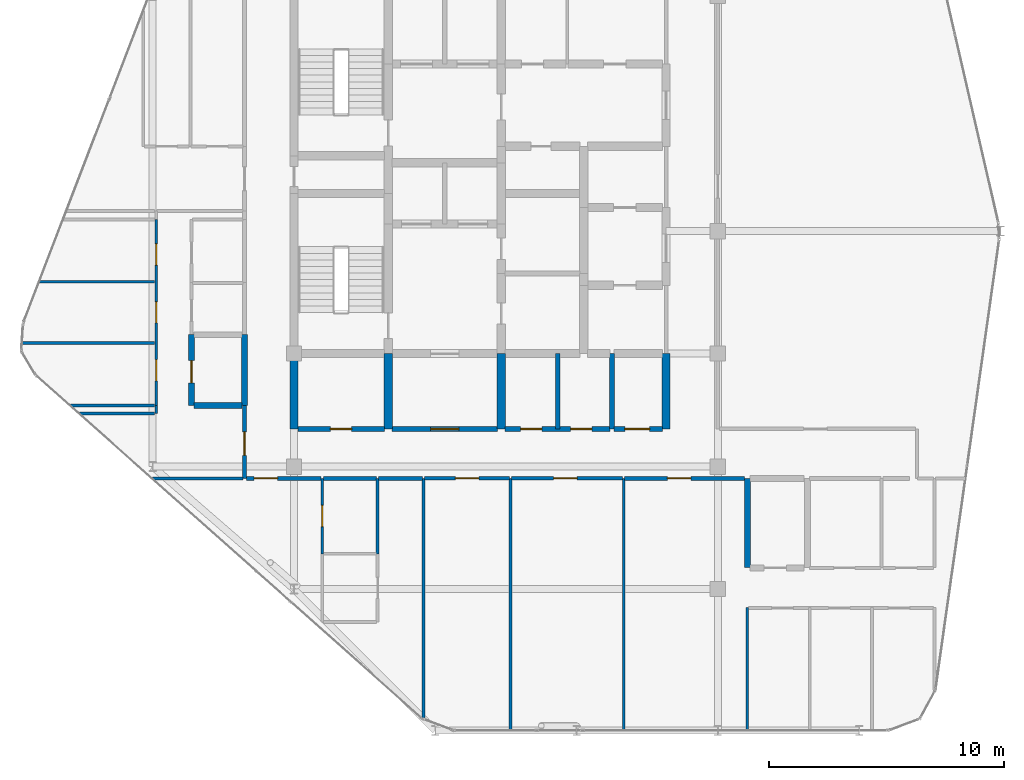
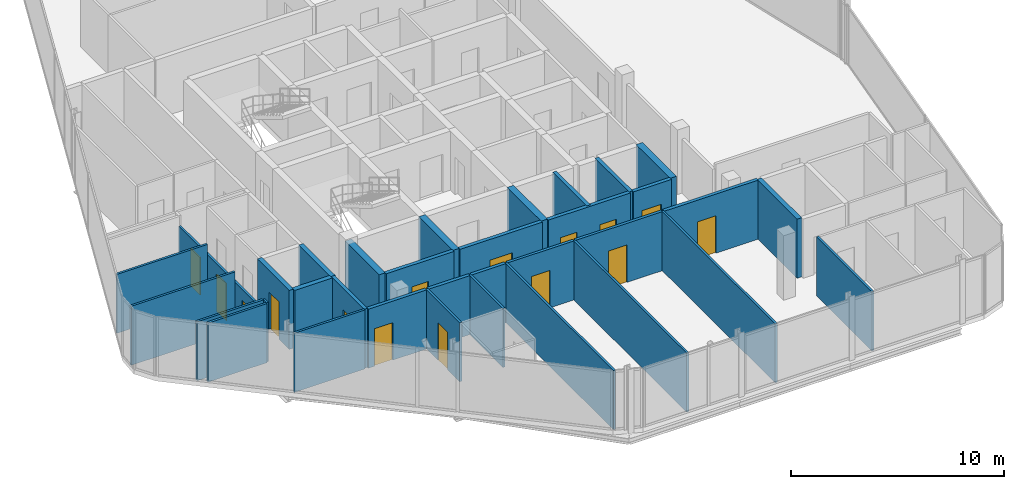
# One storey, part 22 of 27: 34 walls, 15 doors, 15 openings.
"""IFC4 building model written with IfcOpenShell, lengths in metres."""

from ifc_helpers import new_model, si_unit, direction, frame, frame_2d, origin, place, context, subcontext, project, spatial, rectangle, extrude, material, layer, layer_set, type_object, element, fill, save


model = new_model("IFC4")

# Units and contexts
model_context = context("Model", 3, precision=1e-05, world=origin(), true_north=direction((0.0, 1.0)))
body_context = subcontext(model_context, "Body", "Model", "MODEL_VIEW")
ifc_project = project(units=[si_unit("LENGTHUNIT", "METRE"), si_unit("AREAUNIT", "SQUARE_METRE"), si_unit("VOLUMEUNIT", "CUBIC_METRE"), si_unit("PLANEANGLEUNIT", "RADIAN"), si_unit("MASSUNIT", "GRAM", prefix="KILO")], contexts=[model_context])

# Site, building, storey
site_placement = place(None, origin())
site = spatial("IfcSite", under=ifc_project, at=site_placement, CompositionType="ELEMENT")
building_placement = place(site_placement, origin())
building = spatial("IfcBuilding", under=site, at=building_placement, Name="Keshet Zoharim Tower", CompositionType="ELEMENT")
storey_placement = place(building_placement, frame((0.0, 0.0, 307.300048828125)))
storey = spatial("IfcBuildingStorey", under=building, at=storey_placement, Name="L77", CompositionType="ELEMENT", Elevation=307.300048828125)

# Wall, opening, door
ifc_material_1 = material(Name="Gypsum Plasterboard", Category="gypsum")
ifc_layer_1 = layer(ifc_material_1, 0.14990234375)
ifc_layer_set_1 = layer_set([ifc_layer_1], Name="Gypsum Plasterboard")
wall_type_1 = type_object("IfcWallType", Name="WL-CLIN-150", PredefinedType="STANDARD", material=ifc_layer_set_1)
wall_1_placement = place(storey_placement, frame((20.544921875, 17.39990234375, 0.0), z_axis=(0.0, 0.0, 1.0), x_axis=(1.0, 0.0, 0.0)))
wall_1 = element("IfcWall", 1, at=wall_1_placement, inside=storey, type_object=wall_type_1, Name="L77 Interior Wall 081", PredefinedType="STANDARD", context=body_context, shape_type="SweptSolid", body=[
    extrude(rectangle(XDim=3.610107421875, YDim=0.14990234375, at=frame_2d((1.80517578125, 0.0))), origin(), (0.0, 0.0, 1.0), 3.389892578125),
])
opening_1_placement = place(wall_1_placement, frame((1.304931640625, 0.0, 0.0)))
opening_1 = element("IfcOpeningElement", 2, at=opening_1_placement, cuts=wall_1, Name="Opening D-F310", PredefinedType="OPENING", context=body_context, shape_type="SweptSolid", body=[
    extrude(rectangle(XDim=1.0, YDim=2.14990234375, at=frame_2d((0.5, 1.074951171875))), frame((0.0, 0.0849609375, 0.0), z_axis=(0.0, -1.0, 0.0), x_axis=(1.0, 0.0, 0.0)), (0.0, 0.0, 1.0), 0.169921875),
])
ifc_material_2 = material(Name="Hardwood Timber", Category="wood")
door_type_1 = type_object("IfcDoorType", Name="DR-FD30-100", OperationType="NOTDEFINED", PredefinedType="DOOR", material=ifc_material_2)
door_1_placement = place(opening_1_placement, origin())
door_1 = element("IfcDoor", 3, at=door_1_placement, inside=storey, type_object=door_type_1, Name="L77 Quiet Telework Office Door", OperationType="SINGLE_SWING_LEFT", OverallHeight=2.14990234375, OverallWidth=1.0, PredefinedType="DOOR", context=body_context, shape_type="SweptSolid", body=[
    extrude(rectangle(XDim=1.0, YDim=2.14990234375, at=frame_2d((0.5, 1.074951171875))), frame((0.0, 0.02490234375, 0.0), z_axis=(0.0, -1.0, 0.0), x_axis=(1.0, 0.0, 0.0)), (0.0, 0.0, 1.0), 0.050048828125),
])
fill(opening_1, door_1)

wall_2_placement = place(storey_placement, frame((24.2451171875, 17.39990234375, 0.0), z_axis=(0.0, 0.0, 1.0), x_axis=(1.0, 0.0, 0.0)))
wall_2 = element("IfcWall", 4, at=wall_2_placement, inside=storey, type_object=wall_type_1, Name="L77 Interior Wall 082", PredefinedType="STANDARD", context=body_context, shape_type="SweptSolid", body=[
    extrude(rectangle(XDim=4.7099609375, YDim=0.14990234375, at=frame_2d((2.35498046875, 0.0))), origin(), (0.0, 0.0, 1.0), 3.389892578125),
])
opening_2_placement = place(wall_2_placement, frame((1.781982421875, 0.0, 0.0)))
opening_2 = element("IfcOpeningElement", 5, at=opening_2_placement, cuts=wall_2, Name="Opening D-F310", PredefinedType="OPENING", context=body_context, shape_type="SweptSolid", body=[
    extrude(rectangle(XDim=1.0, YDim=2.14990234375, at=frame_2d((0.5, 1.074951171875))), frame((0.0, 0.0849609375, 0.0), z_axis=(0.0, -1.0, 0.0), x_axis=(1.0, 0.0, 0.0)), (0.0, 0.0, 1.0), 0.169921875),
])
door_2_placement = place(opening_2_placement, origin())
door_2 = element("IfcDoor", 6, at=door_2_placement, inside=storey, type_object=door_type_1, Name="L77 Residents Game Lounge Door", OperationType="SINGLE_SWING_RIGHT", OverallHeight=2.14990234375, OverallWidth=1.0, PredefinedType="DOOR", context=body_context, shape_type="SweptSolid", body=[
    extrude(rectangle(XDim=1.0, YDim=2.14990234375, at=frame_2d((0.5, 1.074951171875))), frame((0.0, 0.02490234375, 0.0), z_axis=(0.0, -1.0, 0.0), x_axis=(1.0, 0.0, 0.0)), (0.0, 0.0, 1.0), 0.050048828125),
])
fill(opening_2, door_2)

# Walls
ifc_material_3 = material(Name="Concrete C60/75", Category="concrete")
ifc_layer_2 = layer(ifc_material_3, 0.35009765625)
ifc_layer_set_2 = layer_set([ifc_layer_2], Name="Concrete C60/75")
wall_type_2 = type_object("IfcWallType", Name="WL-CORE-350", PredefinedType="SHEAR", material=ifc_layer_set_2)
for number, where, z_axis, x_axis, name in (
    (7, (15.0, 19.5, 0.0), (0.0, 0.0, 1.0), (0.0, 1.0, 0.0), "L77 Core Shear Wall 018"),
    (8, (19.0, 19.5, 0.0), (0.0, 0.0, 1.0), (0.0, 1.0, 0.0), "L77 Core Shear Wall 026"),
    (9, (23.800048828125, 19.5, 0.0), (0.0, 0.0, 1.0), (0.0, 1.0, 0.0), "L77 Core Shear Wall 037"),
    (10, (30.800048828125, 19.5, 0.0), (0.0, 0.0, 1.0), (0.0, 1.0, 0.0), "L77 Core Shear Wall 054"),
):
    element("IfcWall", number, at=place(storey_placement, frame(where, z_axis=z_axis, x_axis=x_axis)), inside=storey, type_object=wall_type_2, Name=name, PredefinedType="SHEAR", context=body_context, shape_type="SweptSolid", body=[
        extrude(rectangle(XDim=3.199951171875, YDim=0.35009765625, at=frame_2d((1.60009765625, 0.0))), origin(), (0.0, 0.0, 1.0), 3.389892578125),
    ])

# Wall, opening, door
ifc_layer_3 = layer(ifc_material_1, 0.179931640625)
ifc_layer_set_3 = layer_set([ifc_layer_3], Name="Gypsum Plasterboard")
wall_type_3 = type_object("IfcWallType", Name="WL-CORR-180", PredefinedType="STANDARD", material=ifc_layer_set_3)
wall_3_placement = place(storey_placement, frame((12.89990234375, 17.39990234375, 0.0), z_axis=(0.0, 0.0, 1.0), x_axis=(0.0, 1.0, 0.0)))
wall_3 = element("IfcWall", 11, at=wall_3_placement, inside=storey, type_object=wall_type_3, Name="L77 Interior Wall 009", PredefinedType="STANDARD", context=body_context, shape_type="SweptSolid", body=[
    extrude(rectangle(XDim=3.10009765625, YDim=0.179931640625, at=frame_2d((1.550048828125, 0.0))), origin(), (0.0, 0.0, 1.0), 3.389892578125),
])
opening_3_placement = place(wall_3_placement, frame((0.97802734375, 0.0, 0.0)))
opening_3 = element("IfcOpeningElement", 12, at=opening_3_placement, cuts=wall_3, Name="Opening D-F310", PredefinedType="OPENING", context=body_context, shape_type="SweptSolid", body=[
    extrude(rectangle(XDim=1.0, YDim=2.14990234375, at=frame_2d((0.5, 1.074951171875))), frame((0.0, 0.10009765625, 0.0), z_axis=(0.0, -1.0, 0.0), x_axis=(1.0, 0.0, 0.0)), (0.0, 0.0, 1.0), 0.199951171875),
])
door_3_placement = place(opening_3_placement, origin())
door_3 = element("IfcDoor", 13, at=door_3_placement, inside=storey, type_object=door_type_1, Name="Apartment 7704 Entrance Door", OperationType="SINGLE_SWING_RIGHT", OverallHeight=2.14990234375, OverallWidth=1.0, PredefinedType="DOOR", context=body_context, shape_type="SweptSolid", body=[
    extrude(rectangle(XDim=1.0, YDim=2.14990234375, at=frame_2d((0.5, 1.074951171875))), frame((0.0, 0.02490234375, 0.0), z_axis=(0.0, -1.0, 0.0), x_axis=(1.0, 0.0, 0.0)), (0.0, 0.0, 1.0), 0.050048828125),
])
fill(opening_3, door_3)

wall_4_placement = place(storey_placement, frame((12.97509765625, 17.39990234375, 0.0), z_axis=(0.0, 0.0, 1.0), x_axis=(1.0, 0.0, 0.0)))
wall_4 = element("IfcWall", 14, at=wall_4_placement, inside=storey, type_object=wall_type_3, Name="L77 Interior Wall 078", PredefinedType="STANDARD", context=body_context, shape_type="SweptSolid", body=[
    extrude(rectangle(XDim=3.179931640625, YDim=0.179931640625, at=frame_2d((1.58984375, 0.0))), origin(), (0.0, 0.0, 1.0), 3.389892578125),
])
opening_4_placement = place(wall_4_placement, frame((0.33203125, 0.0, 0.0)))
opening_4 = element("IfcOpeningElement", 15, at=opening_4_placement, cuts=wall_4, Name="Opening D-F310", PredefinedType="OPENING", context=body_context, shape_type="SweptSolid", body=[
    extrude(rectangle(XDim=1.0, YDim=2.14990234375, at=frame_2d((0.5, 1.074951171875))), frame((0.0, 0.10009765625, 0.0), z_axis=(0.0, -1.0, 0.0), x_axis=(1.0, 0.0, 0.0)), (0.0, 0.0, 1.0), 0.199951171875),
])
door_4_placement = place(opening_4_placement, origin())
door_4 = element("IfcDoor", 16, at=door_4_placement, inside=storey, type_object=door_type_1, Name="Apartment 7701 Entrance Door", OperationType="SINGLE_SWING_RIGHT", OverallHeight=2.14990234375, OverallWidth=1.0, PredefinedType="DOOR", context=body_context, shape_type="SweptSolid", body=[
    extrude(rectangle(XDim=1.0, YDim=2.14990234375, at=frame_2d((0.5, 1.074951171875))), frame((0.0, 0.02490234375, 0.0), z_axis=(0.0, -1.0, 0.0), x_axis=(1.0, 0.0, 0.0)), (0.0, 0.0, 1.0), 0.050048828125),
])
fill(opening_4, door_4)

# Walls
wall_5_placement = place(storey_placement, frame((16.2451171875, 17.39990234375, 0.0), z_axis=(0.0, 0.0, 1.0), x_axis=(1.0, 0.0, 0.0)))
element("IfcWall", 17, at=wall_5_placement, inside=storey, type_object=wall_type_3, Name="L77 Interior Wall 079", PredefinedType="STANDARD", context=body_context, shape_type="SweptSolid", body=[
    extrude(rectangle(XDim=2.259765625, YDim=0.179931640625, at=frame_2d((1.1298828125, 0.0))), origin(), (0.0, 0.0, 1.0), 3.389892578125),
])
wall_6_placement = place(storey_placement, frame((18.594970703125, 17.39990234375, 0.0), z_axis=(0.0, 0.0, 1.0), x_axis=(1.0, 0.0, 0.0)))
element("IfcWall", 18, at=wall_6_placement, inside=storey, type_object=wall_type_3, Name="L77 Interior Wall 080", PredefinedType="STANDARD", context=body_context, shape_type="SweptSolid", body=[
    extrude(rectangle(XDim=1.860107421875, YDim=0.179931640625, at=frame_2d((0.93017578125, 0.0))), origin(), (0.0, 0.0, 1.0), 3.389892578125),
])

# Wall, opening, door
wall_7_placement = place(storey_placement, frame((29.044921875, 17.39990234375, 0.0), z_axis=(0.0, 0.0, 1.0), x_axis=(1.0, 0.0, 0.0)))
wall_7 = element("IfcWall", 19, at=wall_7_placement, inside=storey, type_object=wall_type_3, Name="L77 Interior Wall 083", PredefinedType="STANDARD", context=body_context, shape_type="SweptSolid", body=[
    extrude(rectangle(XDim=5.094970703125, YDim=0.179931640625, at=frame_2d((2.54736328125, 0.0))), origin(), (0.0, 0.0, 1.0), 3.389892578125),
])
opening_5_placement = place(wall_7_placement, frame((1.806884765625, 0.0, 0.0)))
opening_5 = element("IfcOpeningElement", 20, at=opening_5_placement, cuts=wall_7, Name="Opening D-F310", PredefinedType="OPENING", context=body_context, shape_type="SweptSolid", body=[
    extrude(rectangle(XDim=1.0, YDim=2.14990234375, at=frame_2d((0.5, 1.074951171875))), frame((0.0, 0.10009765625, 0.0), z_axis=(0.0, -1.0, 0.0), x_axis=(1.0, 0.0, 0.0)), (0.0, 0.0, 1.0), 0.199951171875),
])
door_5_placement = place(opening_5_placement, origin())
door_5 = element("IfcDoor", 21, at=door_5_placement, inside=storey, type_object=door_type_1, Name="Apartment 7702 Entrance Door", OperationType="SINGLE_SWING_LEFT", OverallHeight=2.14990234375, OverallWidth=1.0, PredefinedType="DOOR", context=body_context, shape_type="SweptSolid", body=[
    extrude(rectangle(XDim=1.0, YDim=2.14990234375, at=frame_2d((0.5, 1.074951171875))), frame((0.0, 0.02490234375, 0.0), z_axis=(0.0, -1.0, 0.0), x_axis=(1.0, 0.0, 0.0)), (0.0, 0.0, 1.0), 0.050048828125),
])
fill(opening_5, door_5)

# Walls
ifc_material_4 = material(Name="Concrete C50/60", Category="concrete")
ifc_layer_4 = layer(ifc_material_4, 0.199951171875)
ifc_layer_set_4 = layer_set([ifc_layer_4], Name="Concrete C50/60")
wall_type_4 = type_object("IfcWallType", Name="WL-FIRE-200", PredefinedType="STANDARD", material=ifc_layer_set_4)
for number, where, z_axis, x_axis, name in (
    (22, (26.199951171875, 19.5, 0.0), (0.0, 0.0, 1.0), (0.0, 1.0, 0.0), "L77 Interior Wall 045"),
    (23, (28.5, 19.5, 0.0), (0.0, 0.0, 1.0), (0.0, 1.0, 0.0), "L77 Interior Wall 051"),
):
    element("IfcWall", number, at=place(storey_placement, frame(where, z_axis=z_axis, x_axis=x_axis)), inside=storey, type_object=wall_type_4, Name=name, PredefinedType="STANDARD", context=body_context, shape_type="SweptSolid", body=[
        extrude(rectangle(XDim=3.199951171875, YDim=0.199951171875, at=frame_2d((1.60009765625, 0.0))), origin(), (0.0, 0.0, 1.0), 3.389892578125),
    ])

# Wall, opening, door
wall_8_placement = place(storey_placement, frame((15.159912109375, 19.5, 0.0), z_axis=(0.0, 0.0, 1.0), x_axis=(1.0, 0.0, 0.0)))
wall_8 = element("IfcWall", 24, at=wall_8_placement, inside=storey, type_object=wall_type_4, Name="L77 Interior Wall 089", PredefinedType="STANDARD", context=body_context, shape_type="SweptSolid", body=[
    extrude(rectangle(XDim=3.68017578125, YDim=0.199951171875, at=frame_2d((1.840087890625, 0.0))), origin(), (0.0, 0.0, 1.0), 3.389892578125),
])
opening_6_placement = place(wall_8_placement, frame((1.389892578125, 0.0, 0.0)))
opening_6 = element("IfcOpeningElement", 25, at=opening_6_placement, cuts=wall_8, Name="Opening D-F690", PredefinedType="OPENING", context=body_context, shape_type="SweptSolid", body=[
    extrude(rectangle(XDim=0.89990234375, YDim=2.14990234375, at=frame_2d((0.449951171875, 1.074951171875))), frame((0.0, 0.10986328125, 0.0), z_axis=(0.0, -1.0, 0.0), x_axis=(1.0, 0.0, 0.0)), (0.0, 0.0, 1.0), 0.219970703125),
])
door_type_2 = type_object("IfcDoorType", Name="DR-FD60-090", OperationType="NOTDEFINED", PredefinedType="DOOR", material=ifc_material_2)
door_6_placement = place(opening_6_placement, origin())
door_6 = element("IfcDoor", 26, at=door_6_placement, inside=storey, type_object=door_type_2, Name="L77 Pram Store Door", OperationType="SINGLE_SWING_RIGHT", OverallHeight=2.14990234375, OverallWidth=0.89990234375, PredefinedType="DOOR", context=body_context, shape_type="SweptSolid", body=[
    extrude(rectangle(XDim=0.89990234375, YDim=2.14990234375, at=frame_2d((0.449951171875, 1.074951171875))), frame((0.0, 0.02490234375, 0.0), z_axis=(0.0, -1.0, 0.0), x_axis=(1.0, 0.0, 0.0)), (0.0, 0.0, 1.0), 0.050048828125),
])
fill(opening_6, door_6)

wall_9_placement = place(storey_placement, frame((19.159912109375, 19.5, 0.0), z_axis=(0.0, 0.0, 1.0), x_axis=(1.0, 0.0, 0.0)))
wall_9 = element("IfcWall", 27, at=wall_9_placement, inside=storey, type_object=wall_type_4, Name="L77 Interior Wall 090", PredefinedType="STANDARD", context=body_context, shape_type="SweptSolid", body=[
    extrude(rectangle(XDim=4.47998046875, YDim=0.199951171875, at=frame_2d((2.239990234375, 0.0))), origin(), (0.0, 0.0, 1.0), 3.389892578125),
])
opening_7_placement = place(wall_9_placement, frame((1.639892578125, 0.0, 0.0)))
opening_7 = element("IfcOpeningElement", 28, at=opening_7_placement, cuts=wall_9, Name="Opening D-F612", PredefinedType="OPENING", context=body_context, shape_type="SweptSolid", body=[
    extrude(rectangle(XDim=1.199951171875, YDim=2.199951171875, at=frame_2d((0.60009765625, 1.10009765625))), frame((0.0, 0.10986328125, 0.0), z_axis=(0.0, -1.0, 0.0), x_axis=(1.0, 0.0, 0.0)), (0.0, 0.0, 1.0), 0.219970703125),
])
door_type_3 = type_object("IfcDoorType", Name="DR-FD60-120", OperationType="NOTDEFINED", PredefinedType="DOOR", material=ifc_material_2)
door_7_placement = place(opening_7_placement, origin())
door_7 = element("IfcDoor", 29, at=door_7_placement, inside=storey, type_object=door_type_3, Name="L77 South Vestibule Corridor Door", OperationType="SINGLE_SWING_LEFT", OverallHeight=2.199951171875, OverallWidth=1.199951171875, PredefinedType="DOOR", context=body_context, shape_type="SweptSolid", body=[
    extrude(rectangle(XDim=1.199951171875, YDim=2.199951171875, at=frame_2d((0.60009765625, 1.10009765625))), frame((0.0, 0.02490234375, 0.0), z_axis=(0.0, -1.0, 0.0), x_axis=(1.0, 0.0, 0.0)), (0.0, 0.0, 1.0), 0.050048828125),
])
fill(opening_7, door_7)

# Wall, openings, doors
wall_10_placement = place(storey_placement, frame((23.9599609375, 19.5, 0.0), z_axis=(0.0, 0.0, 1.0), x_axis=(1.0, 0.0, 0.0)))
wall_10 = element("IfcWall", 30, at=wall_10_placement, inside=storey, type_object=wall_type_4, Name="L77 Interior Wall 091", PredefinedType="STANDARD", context=body_context, shape_type="SweptSolid", body=[
    extrude(rectangle(XDim=4.455078125, YDim=0.199951171875, at=frame_2d((2.2275390625, 0.0))), origin(), (0.0, 0.0, 1.0), 3.389892578125),
])
opening_8_placement = place(wall_10_placement, frame((0.6650390625, 0.0, 0.0)))
opening_8 = element("IfcOpeningElement", 31, at=opening_8_placement, cuts=wall_10, Name="Opening D-F690", PredefinedType="OPENING", context=body_context, shape_type="SweptSolid", body=[
    extrude(rectangle(XDim=0.89990234375, YDim=2.14990234375, at=frame_2d((0.449951171875, 1.074951171875))), frame((0.0, 0.10986328125, 0.0), z_axis=(0.0, -1.0, 0.0), x_axis=(1.0, 0.0, 0.0)), (0.0, 0.0, 1.0), 0.219970703125),
])
opening_9_placement = place(wall_10_placement, frame((2.791015625, 0.0, 0.0)))
opening_9 = element("IfcOpeningElement", 32, at=opening_9_placement, cuts=wall_10, Name="Opening D-F690", PredefinedType="OPENING", context=body_context, shape_type="SweptSolid", body=[
    extrude(rectangle(XDim=0.89990234375, YDim=2.14990234375, at=frame_2d((0.449951171875, 1.074951171875))), frame((0.0, 0.10986328125, 0.0), z_axis=(0.0, -1.0, 0.0), x_axis=(1.0, 0.0, 0.0)), (0.0, 0.0, 1.0), 0.219970703125),
])
door_8_placement = place(opening_8_placement, origin())
door_8 = element("IfcDoor", 33, at=door_8_placement, inside=storey, type_object=door_type_2, Name="L77 Switchgear Room Door", OperationType="SINGLE_SWING_RIGHT", OverallHeight=2.14990234375, OverallWidth=0.89990234375, PredefinedType="DOOR", context=body_context, shape_type="SweptSolid", body=[
    extrude(rectangle(XDim=0.89990234375, YDim=2.14990234375, at=frame_2d((0.449951171875, 1.074951171875))), frame((0.0, 0.02490234375, 0.0), z_axis=(0.0, -1.0, 0.0), x_axis=(1.0, 0.0, 0.0)), (0.0, 0.0, 1.0), 0.050048828125),
])
fill(opening_8, door_8)
door_9_placement = place(opening_9_placement, origin())
door_9 = element("IfcDoor", 34, at=door_9_placement, inside=storey, type_object=door_type_2, Name="L77 Telecom Room Door", OperationType="SINGLE_SWING_LEFT", OverallHeight=2.14990234375, OverallWidth=0.89990234375, PredefinedType="DOOR", context=body_context, shape_type="SweptSolid", body=[
    extrude(rectangle(XDim=0.89990234375, YDim=2.14990234375, at=frame_2d((0.449951171875, 1.074951171875))), frame((0.0, 0.02490234375, 0.0), z_axis=(0.0, -1.0, 0.0), x_axis=(1.0, 0.0, 0.0)), (0.0, 0.0, 1.0), 0.050048828125),
])
fill(opening_9, door_9)

# Wall, opening, door
wall_11_placement = place(storey_placement, frame((28.5849609375, 19.5, 0.0), z_axis=(0.0, 0.0, 1.0), x_axis=(1.0, 0.0, 0.0)))
wall_11 = element("IfcWall", 35, at=wall_11_placement, inside=storey, type_object=wall_type_4, Name="L77 Interior Wall 092", PredefinedType="STANDARD", context=body_context, shape_type="SweptSolid", body=[
    extrude(rectangle(XDim=2.054931640625, YDim=0.199951171875, at=frame_2d((1.02734375, 0.0))), origin(), (0.0, 0.0, 1.0), 3.389892578125),
])
opening_10_placement = place(wall_11_placement, frame((0.466064453125, 0.0, 0.0)))
opening_10 = element("IfcOpeningElement", 36, at=opening_10_placement, cuts=wall_11, Name="Opening D-AC10", PredefinedType="OPENING", context=body_context, shape_type="SweptSolid", body=[
    extrude(rectangle(XDim=1.050048828125, YDim=2.14990234375, at=frame_2d((0.52490234375, 1.074951171875))), frame((0.0, 0.10986328125, 0.0), z_axis=(0.0, -1.0, 0.0), x_axis=(1.0, 0.0, 0.0)), (0.0, 0.0, 1.0), 0.219970703125),
])
door_type_4 = type_object("IfcDoorType", Name="DR-ACC-105", OperationType="NOTDEFINED", PredefinedType="DOOR", material=ifc_material_2)
door_10_placement = place(opening_10_placement, origin())
door_10 = element("IfcDoor", 37, at=door_10_placement, inside=storey, type_object=door_type_4, Name="L77 Accessible WC Door", OperationType="SINGLE_SWING_RIGHT", OverallHeight=2.14990234375, OverallWidth=1.050048828125, PredefinedType="DOOR", context=body_context, shape_type="SweptSolid", body=[
    extrude(rectangle(XDim=1.050048828125, YDim=2.14990234375, at=frame_2d((0.52490234375, 1.074951171875))), frame((0.0, 0.02490234375, 0.0), z_axis=(0.0, -1.0, 0.0), x_axis=(1.0, 0.0, 0.0)), (0.0, 0.0, 1.0), 0.050048828125),
])
fill(opening_10, door_10)

ifc_layer_5 = layer(ifc_material_4, 0.25)
ifc_layer_set_5 = layer_set([ifc_layer_5], Name="Concrete C50/60")
wall_type_5 = type_object("IfcWallType", Name="WL-MAMAD-250", PredefinedType="STANDARD", material=ifc_layer_set_5)
wall_12_placement = place(storey_placement, frame((10.64990234375, 20.5, 0.0), z_axis=(0.0, 0.0, 1.0), x_axis=(0.0, 1.0, 0.0)))
wall_12 = element("IfcWall", 38, at=wall_12_placement, inside=storey, type_object=wall_type_5, Name="L77 Interior Wall 006", PredefinedType="STANDARD", context=body_context, shape_type="SweptSolid", body=[
    extrude(rectangle(XDim=3.001953125, YDim=0.25, at=frame_2d((1.5009765625, 0.0))), origin(), (0.0, 0.0, 1.0), 3.389892578125),
])
opening_11_placement = place(wall_12_placement, frame((0.9560546875, 0.0, 0.0)))
opening_11 = element("IfcOpeningElement", 39, at=opening_11_placement, cuts=wall_12, Name="Opening D-F695", PredefinedType="OPENING", context=body_context, shape_type="SweptSolid", body=[
    extrude(rectangle(XDim=0.949951171875, YDim=2.14990234375, at=frame_2d((0.47509765625, 1.074951171875))), frame((0.0, 0.135009765625, 0.0), z_axis=(0.0, -1.0, 0.0), x_axis=(1.0, 0.0, 0.0)), (0.0, 0.0, 1.0), 0.27001953125),
])
door_type_5 = type_object("IfcDoorType", Name="DR-FD60-095", OperationType="NOTDEFINED", PredefinedType="DOOR", material=ifc_material_2)
door_11_placement = place(opening_11_placement, origin())
door_11 = element("IfcDoor", 40, at=door_11_placement, inside=storey, type_object=door_type_5, Name="Apartment 7704 Study and Shelter Room Door", OperationType="SINGLE_SWING_LEFT", OverallHeight=2.14990234375, OverallWidth=0.949951171875, PredefinedType="DOOR", context=body_context, shape_type="SweptSolid", body=[
    extrude(rectangle(XDim=0.949951171875, YDim=2.14990234375, at=frame_2d((0.47509765625, 1.074951171875))), frame((0.0, 0.02490234375, 0.0), z_axis=(0.0, -1.0, 0.0), x_axis=(1.0, 0.0, 0.0)), (0.0, 0.0, 1.0), 0.050048828125),
])
fill(opening_11, door_11)

# Walls
wall_13_placement = place(storey_placement, frame((12.89990234375, 20.5, 0.0), z_axis=(0.0, 0.0, 1.0), x_axis=(0.0, 1.0, 0.0)))
element("IfcWall", 41, at=wall_13_placement, inside=storey, type_object=wall_type_5, Name="L77 Interior Wall 010", PredefinedType="STANDARD", context=body_context, shape_type="SweptSolid", body=[
    extrude(rectangle(XDim=3.001953125, YDim=0.25, at=frame_2d((1.5009765625, 0.0))), origin(), (0.0, 0.0, 1.0), 3.389892578125),
])
wall_14_placement = place(storey_placement, frame((34.25, 13.6201171875, 0.0), z_axis=(0.0, 0.0, 1.0), x_axis=(0.0, 1.0, 0.0)))
element("IfcWall", 42, at=wall_14_placement, inside=storey, type_object=wall_type_5, Name="L77 Interior Wall 063", PredefinedType="STANDARD", context=body_context, shape_type="SweptSolid", body=[
    extrude(rectangle(XDim=3.77978515625, YDim=0.25, at=frame_2d((1.889892578125, 0.0))), origin(), (0.0, 0.0, 1.0), 3.389892578125),
])
wall_15_placement = place(storey_placement, frame((10.760009765625, 20.5, 0.0), z_axis=(0.0, 0.0, 1.0), x_axis=(1.0, 0.0, 0.0)))
element("IfcWall", 43, at=wall_15_placement, inside=storey, type_object=wall_type_5, Name="L77 Interior Wall 096", PredefinedType="STANDARD", context=body_context, shape_type="SweptSolid", body=[
    extrude(rectangle(XDim=2.030029296875, YDim=0.25, at=frame_2d((1.01513671875, 0.0))), origin(), (0.0, 0.0, 1.0), 3.389892578125),
])
ifc_layer_6 = layer(ifc_material_1, 0.1201171875)
ifc_layer_set_6 = layer_set([ifc_layer_6], Name="Gypsum Plasterboard")
wall_type_6 = type_object("IfcWallType", Name="WL-PART-120", PredefinedType="PARTITIONING", material=ifc_layer_set_6)
wall_16_placement = place(storey_placement, frame((9.14990234375, 20.14990234375, 0.0), z_axis=(0.0, 0.0, 1.0), x_axis=(0.0, 1.0, 0.0)))
element("IfcWall", 44, at=wall_16_placement, inside=storey, type_object=wall_type_6, Name="L77 Interior Wall 002", PredefinedType="PARTITIONING", context=body_context, shape_type="SweptSolid", body=[
    extrude(rectangle(XDim=0.35009765625, YDim=0.1201171875, at=frame_2d((0.175048828125, 0.0))), origin(), (0.0, 0.0, 1.0), 3.389892578125),
])

# Wall, openings, doors
wall_17_placement = place(storey_placement, frame((9.14990234375, 20.5, 0.0), z_axis=(0.0, 0.0, 1.0), x_axis=(0.0, 1.0, 0.0)))
wall_17 = element("IfcWall", 45, at=wall_17_placement, inside=storey, type_object=wall_type_6, Name="L77 Interior Wall 003", PredefinedType="PARTITIONING", context=body_context, shape_type="SweptSolid", body=[
    extrude(rectangle(XDim=7.89990234375, YDim=0.1201171875, at=frame_2d((3.949951171875, 0.0))), origin(), (0.0, 0.0, 1.0), 2.7900390625),
])
opening_12_placement = place(wall_17_placement, frame((1.041015625, 0.0, 0.0)))
opening_12 = element("IfcOpeningElement", 46, at=opening_12_placement, cuts=wall_17, Name="Opening D-IN90", PredefinedType="OPENING", context=body_context, shape_type="SweptSolid", body=[
    extrude(rectangle(XDim=0.89990234375, YDim=2.14990234375, at=frame_2d((0.449951171875, 1.074951171875))), frame((0.0, 0.070068359375, 0.0), z_axis=(0.0, -1.0, 0.0), x_axis=(1.0, 0.0, 0.0)), (0.0, 0.0, 1.0), 0.14013671875),
])
opening_13_placement = place(wall_17_placement, frame((3.5, 0.0, 0.0)))
opening_13 = element("IfcOpeningElement", 47, at=opening_13_placement, cuts=wall_17, Name="Opening D-IN90", PredefinedType="OPENING", context=body_context, shape_type="SweptSolid", body=[
    extrude(rectangle(XDim=0.89990234375, YDim=2.14990234375, at=frame_2d((0.449951171875, 1.074951171875))), frame((0.0, 0.070068359375, 0.0), z_axis=(0.0, -1.0, 0.0), x_axis=(1.0, 0.0, 0.0)), (0.0, 0.0, 1.0), 0.14013671875),
])
opening_14_placement = place(wall_17_placement, frame((5.958984375, 0.0, 0.0)))
opening_14 = element("IfcOpeningElement", 48, at=opening_14_placement, cuts=wall_17, Name="Opening D-IN90", PredefinedType="OPENING", context=body_context, shape_type="SweptSolid", body=[
    extrude(rectangle(XDim=0.89990234375, YDim=2.14990234375, at=frame_2d((0.449951171875, 1.074951171875))), frame((0.0, 0.070068359375, 0.0), z_axis=(0.0, -1.0, 0.0), x_axis=(1.0, 0.0, 0.0)), (0.0, 0.0, 1.0), 0.14013671875),
])
door_type_6 = type_object("IfcDoorType", Name="DR-INT-090", OperationType="NOTDEFINED", PredefinedType="DOOR", material=ifc_material_2)
door_12_placement = place(opening_12_placement, origin())
door_12 = element("IfcDoor", 49, at=door_12_placement, inside=storey, type_object=door_type_6, Name="Apartment 7704 Bedroom 1 Door", OperationType="SINGLE_SWING_RIGHT", OverallHeight=2.14990234375, OverallWidth=0.89990234375, PredefinedType="DOOR", context=body_context, shape_type="SweptSolid", body=[
    extrude(rectangle(XDim=0.89990234375, YDim=2.14990234375, at=frame_2d((0.449951171875, 1.074951171875))), frame((0.0, 0.02490234375, 0.0), z_axis=(0.0, -1.0, 0.0), x_axis=(1.0, 0.0, 0.0)), (0.0, 0.0, 1.0), 0.050048828125),
])
fill(opening_12, door_12)
door_13_placement = place(opening_13_placement, origin())
door_13 = element("IfcDoor", 50, at=door_13_placement, inside=storey, type_object=door_type_6, Name="Apartment 7704 Bedroom 2 Door", OperationType="SINGLE_SWING_LEFT", OverallHeight=2.14990234375, OverallWidth=0.89990234375, PredefinedType="DOOR", context=body_context, shape_type="SweptSolid", body=[
    extrude(rectangle(XDim=0.89990234375, YDim=2.14990234375, at=frame_2d((0.449951171875, 1.074951171875))), frame((0.0, 0.02490234375, 0.0), z_axis=(0.0, -1.0, 0.0), x_axis=(1.0, 0.0, 0.0)), (0.0, 0.0, 1.0), 0.050048828125),
])
fill(opening_13, door_13)
door_14_placement = place(opening_14_placement, origin())
door_14 = element("IfcDoor", 51, at=door_14_placement, inside=storey, type_object=door_type_6, Name="Apartment 7704 Bedroom 3 Door", OperationType="SINGLE_SWING_RIGHT", OverallHeight=2.14990234375, OverallWidth=0.89990234375, PredefinedType="DOOR", context=body_context, shape_type="SweptSolid", body=[
    extrude(rectangle(XDim=0.89990234375, YDim=2.14990234375, at=frame_2d((0.449951171875, 1.074951171875))), frame((0.0, 0.02490234375, 0.0), z_axis=(0.0, -1.0, 0.0), x_axis=(1.0, 0.0, 0.0)), (0.0, 0.0, 1.0), 0.050048828125),
])
fill(opening_14, door_14)

# Wall, opening, door
wall_18_placement = place(storey_placement, frame((16.199951171875, 14.199951171875, 0.0), z_axis=(0.0, 0.0, 1.0), x_axis=(0.0, 1.0, 0.0)))
wall_18 = element("IfcWall", 52, at=wall_18_placement, inside=storey, type_object=wall_type_6, Name="L77 Interior Wall 023", PredefinedType="PARTITIONING", context=body_context, shape_type="SweptSolid", body=[
    extrude(rectangle(XDim=3.199951171875, YDim=0.1201171875, at=frame_2d((1.60009765625, 0.0))), origin(), (0.0, 0.0, 1.0), 3.389892578125),
])
opening_15_placement = place(wall_18_placement, frame((1.14990234375, 0.0, 0.0)))
opening_15 = element("IfcOpeningElement", 53, at=opening_15_placement, cuts=wall_18, Name="Opening D-IN90", PredefinedType="OPENING", context=body_context, shape_type="SweptSolid", body=[
    extrude(rectangle(XDim=0.89990234375, YDim=2.14990234375, at=frame_2d((0.449951171875, 1.074951171875))), frame((0.0, 0.070068359375, 0.0), z_axis=(0.0, -1.0, 0.0), x_axis=(1.0, 0.0, 0.0)), (0.0, 0.0, 1.0), 0.14013671875),
])
door_15_placement = place(opening_15_placement, origin())
door_15 = element("IfcDoor", 54, at=door_15_placement, inside=storey, type_object=door_type_6, Name="Apartment 7701 Kitchenette Door", OperationType="SINGLE_SWING_LEFT", OverallHeight=2.14990234375, OverallWidth=0.89990234375, PredefinedType="DOOR", context=body_context, shape_type="SweptSolid", body=[
    extrude(rectangle(XDim=0.89990234375, YDim=2.14990234375, at=frame_2d((0.449951171875, 1.074951171875))), frame((0.0, 0.02490234375, 0.0), z_axis=(0.0, -1.0, 0.0), x_axis=(1.0, 0.0, 0.0)), (0.0, 0.0, 1.0), 0.050048828125),
])
fill(opening_15, door_15)

# Walls
wall_19_placement = place(storey_placement, frame((18.550048828125, 14.199951171875, 0.0), z_axis=(0.0, 0.0, 1.0), x_axis=(0.0, 1.0, 0.0)))
element("IfcWall", 55, at=wall_19_placement, inside=storey, type_object=wall_type_6, Name="L77 Interior Wall 025", PredefinedType="PARTITIONING", context=body_context, shape_type="SweptSolid", body=[
    extrude(rectangle(XDim=3.199951171875, YDim=0.1201171875, at=frame_2d((1.60009765625, 0.0))), origin(), (0.0, 0.0, 1.0), 3.389892578125),
])
wall_20_placement = place(storey_placement, frame((20.5, 7.18896484375, 0.0), z_axis=(0.0, 0.0, 1.0), x_axis=(0.0, 1.0, 0.0)))
element("IfcWall", 56, at=wall_20_placement, inside=storey, type_object=wall_type_6, Name="L77 Interior Wall 031", PredefinedType="PARTITIONING", context=body_context, shape_type="SweptSolid", body=[
    extrude(rectangle(XDim=10.2109375, YDim=0.1201171875, at=frame_2d((5.10546875, 0.0))), origin(), (0.0, 0.0, 1.0), 3.389892578125),
])
for number, where, z_axis, x_axis, name in (
    (57, (24.199951171875, 6.7099609375, 0.0), (0.0, 0.0, 1.0), (0.0, 1.0, 0.0), "L77 Interior Wall 044"),
    (58, (29.0, 6.7099609375, 0.0), (0.0, 0.0, 1.0), (0.0, 1.0, 0.0), "L77 Interior Wall 052"),
):
    element("IfcWall", number, at=place(storey_placement, frame(where, z_axis=z_axis, x_axis=x_axis)), inside=storey, type_object=wall_type_6, Name=name, PredefinedType="PARTITIONING", context=body_context, shape_type="SweptSolid", body=[
        extrude(rectangle(XDim=10.68994140625, YDim=0.1201171875, at=frame_2d((5.344970703125, 0.0))), origin(), (0.0, 0.0, 1.0), 3.389892578125),
    ])
wall_21_placement = place(storey_placement, frame((34.25, 6.7099609375, 0.0), z_axis=(0.0, 0.0, 1.0), x_axis=(0.0, 1.0, 0.0)))
element("IfcWall", 59, at=wall_21_placement, inside=storey, type_object=wall_type_6, Name="L77 Interior Wall 062", PredefinedType="PARTITIONING", context=body_context, shape_type="SweptSolid", body=[
    extrude(rectangle(XDim=5.2099609375, YDim=0.1201171875, at=frame_2d((2.60498046875, 0.0))), origin(), (0.0, 0.0, 1.0), 3.389892578125),
])
wall_22_placement = place(storey_placement, frame((8.972900390625, 17.39990234375, 0.0), z_axis=(0.0, 0.0, 1.0), x_axis=(1.0, 0.0, 0.0)))
element("IfcWall", 60, at=wall_22_placement, inside=storey, type_object=wall_type_6, Name="L77 Interior Wall 077", PredefinedType="PARTITIONING", context=body_context, shape_type="SweptSolid", body=[
    extrude(rectangle(XDim=3.85205078125, YDim=0.1201171875, at=frame_2d((1.926025390625, 0.0))), origin(), (0.0, 0.0, 1.0), 3.389892578125),
])
wall_23_placement = place(storey_placement, frame((5.87890625, 20.14990234375, 0.0), z_axis=(0.0, 0.0, 1.0), x_axis=(1.0, 0.0, 0.0)))
element("IfcWall", 61, at=wall_23_placement, inside=storey, type_object=wall_type_6, Name="L77 Interior Wall 094", PredefinedType="PARTITIONING", context=body_context, shape_type="SweptSolid", body=[
    extrude(rectangle(XDim=3.2060546875, YDim=0.1201171875, at=frame_2d((1.60302734375, 0.0))), origin(), (0.0, 0.0, 1.0), 3.389892578125),
])
wall_24_placement = place(storey_placement, frame((5.485107421875, 20.5, 0.0), z_axis=(0.0, 0.0, 1.0), x_axis=(1.0, 0.0, 0.0)))
element("IfcWall", 62, at=wall_24_placement, inside=storey, type_object=wall_type_6, Name="L77 Interior Wall 095", PredefinedType="PARTITIONING", context=body_context, shape_type="SweptSolid", body=[
    extrude(rectangle(XDim=3.599853515625, YDim=0.1201171875, at=frame_2d((1.7998046875, 0.0))), origin(), (0.0, 0.0, 1.0), 3.389892578125),
])
wall_25_placement = place(storey_placement, frame((3.451904296875, 23.14990234375, 0.0), z_axis=(0.0, 0.0, 1.0), x_axis=(1.0, 0.0, 0.0)))
element("IfcWall", 63, at=wall_25_placement, inside=storey, type_object=wall_type_6, Name="L77 Interior Wall 102", PredefinedType="PARTITIONING", context=body_context, shape_type="SweptSolid", body=[
    extrude(rectangle(XDim=5.633056640625, YDim=0.1201171875, at=frame_2d((2.81640625, 0.0))), origin(), (0.0, 0.0, 1.0), 3.389892578125),
])
wall_26_placement = place(storey_placement, frame((4.18310546875, 25.75, 0.0), z_axis=(0.0, 0.0, 1.0), x_axis=(1.0, 0.0, 0.0)))
element("IfcWall", 64, at=wall_26_placement, inside=storey, type_object=wall_type_6, Name="L77 Interior Wall 106", PredefinedType="PARTITIONING", context=body_context, shape_type="SweptSolid", body=[
    extrude(rectangle(XDim=4.90185546875, YDim=0.1201171875, at=frame_2d((2.450927734375, 0.0))), origin(), (0.0, 0.0, 1.0), 3.389892578125),
])

save(model, "model.ifc")
